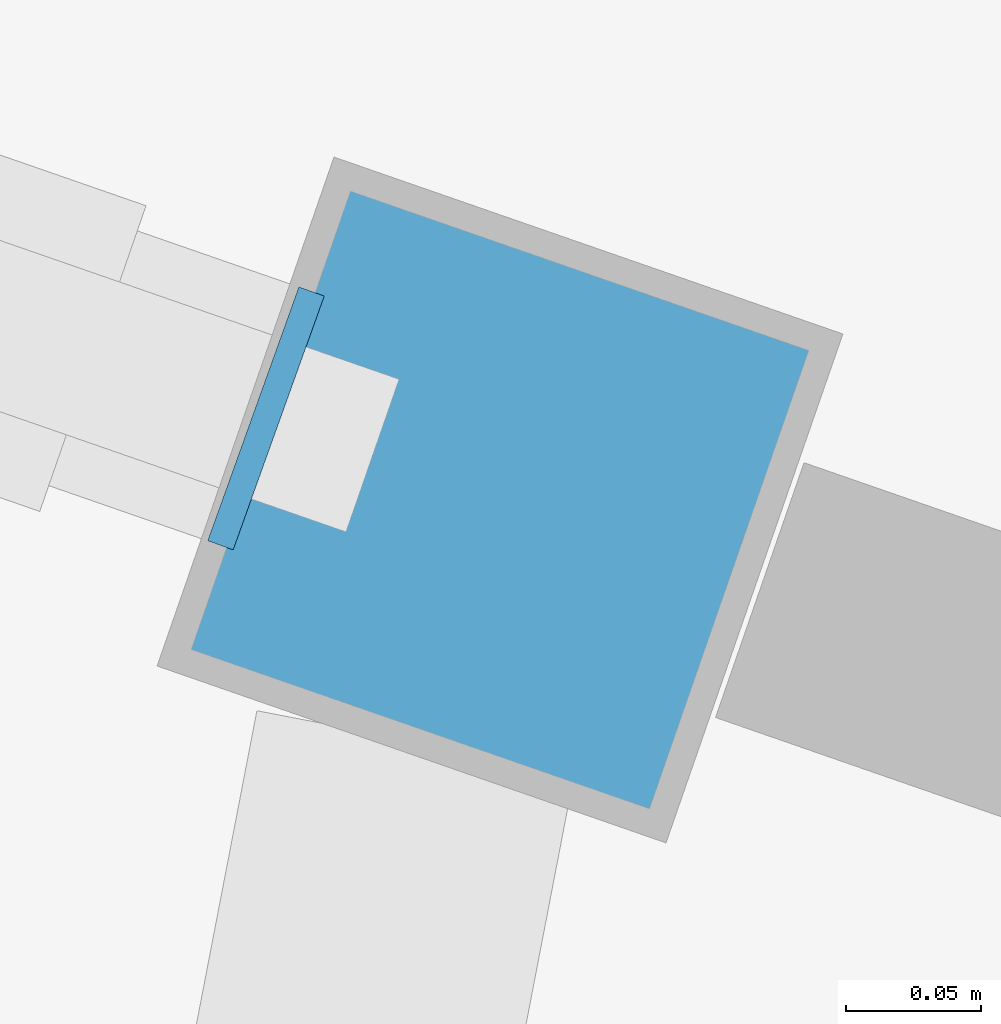
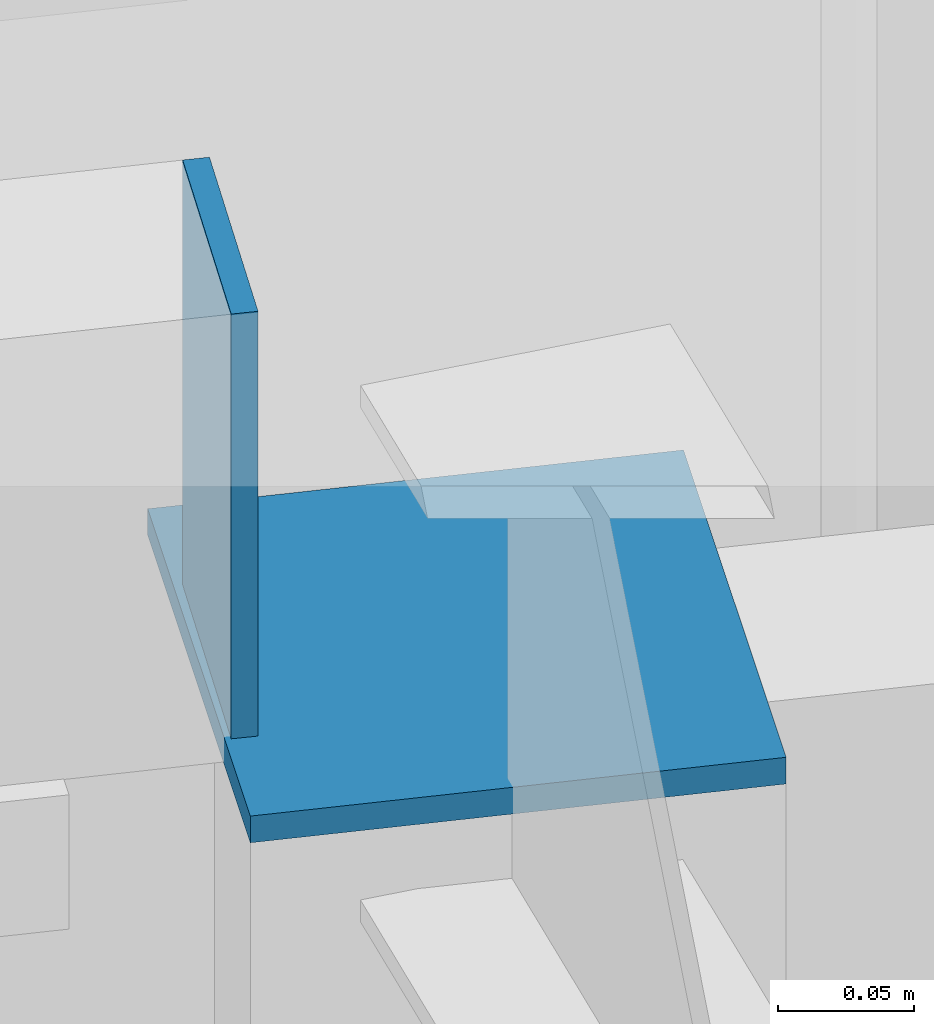
# One storey, part 198 of 226: 2 discrete accessories.
"""IFC4 building model written with IfcOpenShell, lengths in metres."""

from ifc_helpers import new_model, si_unit, direction, frame, origin, origin_2d, place, context, subcontext, project, spatial, rectangle, extrude, material, material_profile, profile_set, type_object, element, save


model = new_model("IFC4")

# Units and contexts
model_context = context("Model", 3, precision=1e-05, world=origin(), true_north=direction((0.0, 1.0)))
body_context = subcontext(model_context, "Body", "Model", "MODEL_VIEW")
ifc_project = project(units=[si_unit("LENGTHUNIT", "METRE"), si_unit("AREAUNIT", "SQUARE_METRE"), si_unit("VOLUMEUNIT", "CUBIC_METRE"), si_unit("PLANEANGLEUNIT", "RADIAN"), si_unit("MASSUNIT", "GRAM", prefix="KILO")], contexts=[model_context])

# Site, building, storey
site_placement = place(None, origin())
site = spatial("IfcSite", under=ifc_project, at=site_placement, CompositionType="ELEMENT")
building_placement = place(site_placement, origin())
building = spatial("IfcBuilding", under=site, at=building_placement, Name="Ceibo Conservatory and Research Tower", CompositionType="ELEMENT")
storey_placement = place(building_placement, origin())
storey = spatial("IfcBuildingStorey", under=building, at=storey_placement, Name="L00", CompositionType="ELEMENT", Elevation=0.0)

# Discrete accessories
ifc_material = material(Name="Steel S355J2", Category="steel")
ifc_material_profile_1 = material_profile(ifc_material, rectangle(XDim=0.10009765625, YDim=0.199951171875, at=origin_2d()), Name="End plate PL 200x100x8")
ifc_profile_set_1 = profile_set([ifc_material_profile_1], Name="Steel S355J2")
discrete_accessory_type_1 = type_object("IfcDiscreteAccessoryType", Name="End plate PL 200x100x8", PredefinedType="USERDEFINED", material=ifc_profile_set_1)
discrete_accessory_1_placement = place(storey_placement, frame((142.416259765625, 43.662109375, 3.89990234375), z_axis=(0.941194670762, -0.337864753607, 0.0), x_axis=(0.337864753607, 0.941194670762, 0.0)))
element("IfcDiscreteAccessory", 1, at=discrete_accessory_1_placement, inside=storey, type_object=discrete_accessory_type_1, Name="Gallery edge beam AUD-VC-EBN14 end plate", ObjectType="End plate", PredefinedType="USERDEFINED", context=body_context, shape_type="SweptSolid", body=[
    extrude(rectangle(XDim=0.10009765625, YDim=0.199951171875, at=origin_2d()), origin(), (0.0, 0.0, 1.0), 0.010009765625),
])
ifc_material_profile_2 = material_profile(ifc_material, rectangle(XDim=0.199951171875, YDim=0.199951171875, at=origin_2d()), Name="End plate PL 200x200x10")
ifc_profile_set_2 = profile_set([ifc_material_profile_2], Name="Steel S355J2")
discrete_accessory_type_2 = type_object("IfcDiscreteAccessoryType", Name="End plate PL 200x200x10", PredefinedType="USERDEFINED", material=ifc_profile_set_2)
discrete_accessory_2_placement = place(storey_placement, frame((142.5078125, 43.630126953125, 3.798095703125), z_axis=(0.0, 0.0, 1.0), x_axis=(0.944579236191, -0.328283515513, 0.0)))
element("IfcDiscreteAccessory", 2, at=discrete_accessory_2_placement, inside=storey, type_object=discrete_accessory_type_2, Name="Gallery column AUD-VC-CN14 end plate", ObjectType="End plate", PredefinedType="USERDEFINED", context=body_context, shape_type="SweptSolid", body=[
    extrude(rectangle(XDim=0.199951171875, YDim=0.199951171875, at=origin_2d()), origin(), (0.0, 0.0, 1.0), 0.011962890625),
])

save(model, "model.ifc")
